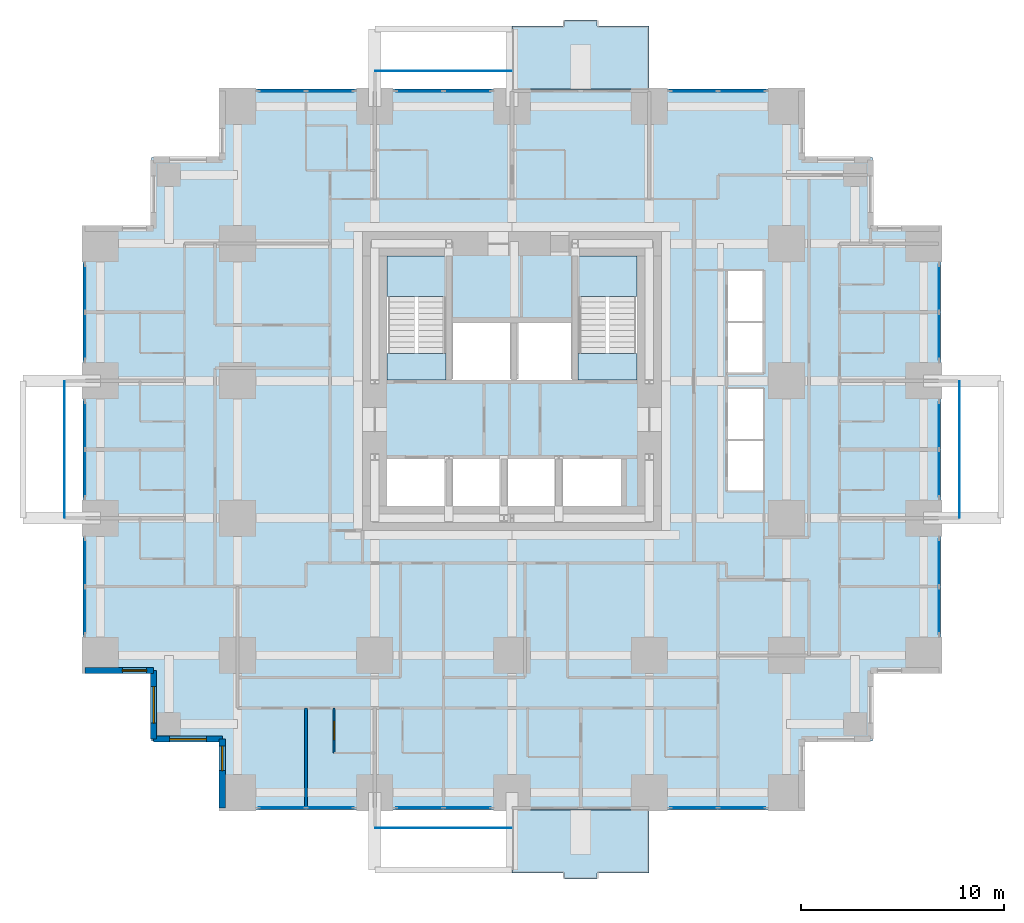
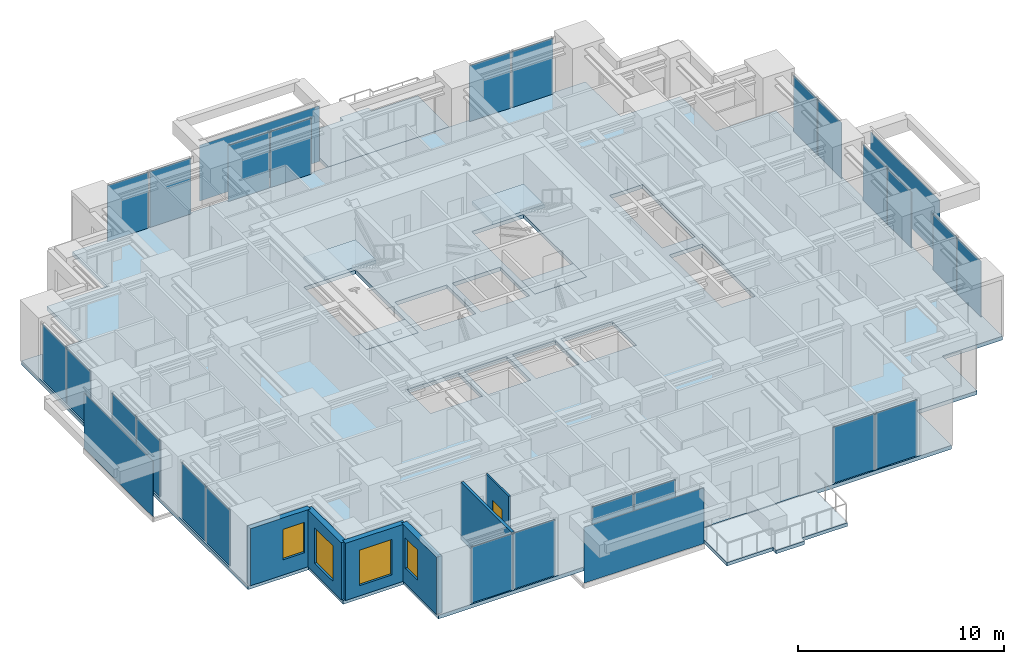
# One storey, part 6 of 12: 28 plates, 7 slabs, 6 walls, 4 windows, 1 door, 5 openings, 14 elements without a shape of their own.
"""IFC4 building model written with IfcOpenShell, lengths in metres."""

import ifcopenshell
import ifcopenshell.guid

model = None  # the IFC model being written
_history = None  # IfcOwnerHistory: only IFC2X3 demands one
_inside = {}  # id of a spatial element -> (the spatial element, [elements in it])
_under = {}  # id of a project, library or spatial element -> (it, [spatial elements below it])
_declared = {}  # id of a project -> (the project, [libraries it declares])
_typed = {}  # id of a type object -> (the type object, [elements of that type])
_made_of = {}  # id of a material, layer set ... -> (it, [elements and type objects made of it])


def new_model(schema):
    """Start an empty IFC model of exactly this schema.

    Asked for "IFC4X3", IfcOpenShell would pick the latest addendum, in which some entities
    have other attributes; the version numbers below select the first issue.
    IFC2X3 requires an IfcOwnerHistory on every rooted entity: one is made here for all.
    """
    global model, _history
    if schema == "IFC4X3":
        model = ifcopenshell.file(schema_version=(4, 3, 0, 0))
    else:
        model = ifcopenshell.file(schema=schema)
    _inside.clear()
    _under.clear()
    _declared.clear()
    _typed.clear()
    _made_of.clear()
    _history = None
    if model.schema == "IFC2X3":
        org = make("IfcOrganization", Name="unknown")
        user = make(
            "IfcPersonAndOrganization",
            ThePerson=make("IfcPerson", FamilyName="unknown"),
            TheOrganization=org,
        )
        app = make(
            "IfcApplication",
            ApplicationDeveloper=org,
            Version="unknown",
            ApplicationFullName="unknown",
            ApplicationIdentifier="unknown",
        )
        _history = make(
            "IfcOwnerHistory",
            OwningUser=user,
            OwningApplication=app,
            ChangeAction="ADDED",
            CreationDate=0,
        )
    return model


def make(cls, **values):
    """One entity of the class cls with the attributes given. An attribute that is None is left unset."""
    return model.create_entity(
        cls, **{name: value for name, value in values.items() if value is not None}
    )


def rooted(cls, **values):
    """An entity with a GlobalId (a new one), such as an element, a storey or a relation."""
    return make(cls, GlobalId=ifcopenshell.guid.new(), OwnerHistory=_history, **values)


def si_unit(unit_type, name, prefix=None):
    """IfcSIUnit, for example si_unit("LENGTHUNIT", "METRE", prefix="MILLI")."""
    return make("IfcSIUnit", UnitType=unit_type, Prefix=prefix, Name=name)


def assignment(units):
    """IfcUnitAssignment: the units of a project."""
    return None if units is None else make("IfcUnitAssignment", Units=units)


def point(xyz):
    """IfcCartesianPoint."""
    return None if xyz is None else make("IfcCartesianPoint", Coordinates=xyz)


def direction(xyz):
    """IfcDirection."""
    return None if xyz is None else make("IfcDirection", DirectionRatios=xyz)


def frame(location, z_axis=None, x_axis=None):
    """IfcAxis2Placement3D, a coordinate frame: its origin and axes. An axis left out is left unset."""
    return make(
        "IfcAxis2Placement3D",
        Location=point(location),
        Axis=direction(z_axis),
        RefDirection=direction(x_axis),
    )


def frame_2d(location, x_axis=None):
    """IfcAxis2Placement2D, a coordinate frame in the plane: its origin and x axis."""
    return make(
        "IfcAxis2Placement2D", Location=point(location), RefDirection=direction(x_axis)
    )


def origin():
    """The frame at (0, 0, 0) with its axes left unset."""
    return frame((0.0, 0.0, 0.0))


def origin_2d():
    """The frame at (0, 0) in the plane with its x axis left unset."""
    return frame_2d((0.0, 0.0))


def place(relative_to, where):
    """IfcLocalPlacement: puts the frame where relative to a parent placement (None: the world)."""
    return make(
        "IfcLocalPlacement", PlacementRelTo=relative_to, RelativePlacement=where
    )


def context(
    kind, dimensions, precision=None, world=None, true_north=None, identifier=None
):
    """IfcGeometricRepresentationContext, for example the 3D "Model" context."""
    return make(
        "IfcGeometricRepresentationContext",
        ContextIdentifier=identifier,
        ContextType=kind,
        CoordinateSpaceDimension=dimensions,
        Precision=precision,
        WorldCoordinateSystem=world,
        TrueNorth=true_north,
    )


def subcontext(parent, identifier, kind, view, scale=None):
    """IfcGeometricRepresentationSubContext, for example "Body" below "Model"."""
    return make(
        "IfcGeometricRepresentationSubContext",
        ContextIdentifier=identifier,
        ContextType=kind,
        ParentContext=parent,
        TargetScale=scale,
        TargetView=view,
    )


def project(units=None, contexts=None):
    """IfcProject with its units and contexts."""
    return rooted(
        "IfcProject",
        Name="project",
        RepresentationContexts=contexts,
        UnitsInContext=assignment(units),
    )


def spatial(cls, under=None, at=None, **own):
    """A site, building, storey or space (cls), placed at a placement, below another one or the project."""
    s = rooted(cls, ObjectPlacement=at, **own)
    if under is not None:
        _under.setdefault(under.id(), (under, []))[1].append(s)
    return s


def polyline(points):
    """IfcPolyline through the points."""
    return make("IfcPolyline", Points=[point(p) for p in points])


def profile(cls, at=None, kind="AREA", **sizes):
    """A parametric profile (cls). Its sizes go by their IFC names, for example OverallWidth=200.0."""
    return make(cls, ProfileType=kind, Position=at, **sizes)


def rectangle(**sizes):
    """IfcRectangleProfileDef."""
    return profile("IfcRectangleProfileDef", **sizes)


def outline(outer, holes=None, kind="AREA"):
    """IfcArbitraryClosedProfileDef: a profile drawn as a closed curve; with holes, ...WithVoids."""
    if holes is None:
        return make("IfcArbitraryClosedProfileDef", ProfileType=kind, OuterCurve=outer)
    return make(
        "IfcArbitraryProfileDefWithVoids",
        ProfileType=kind,
        OuterCurve=outer,
        InnerCurves=holes,
    )


def extrude(swept, where, along, depth):
    """IfcExtrudedAreaSolid: the profile swept, set in the frame where, extruded along a direction by depth."""
    return make(
        "IfcExtrudedAreaSolid",
        SweptArea=swept,
        Position=where,
        ExtrudedDirection=direction(along),
        Depth=depth,
    )


def shape(context_of_items, identifier, shape_type, items):
    """IfcShapeRepresentation: the items that make up one representation, for example the "Body"."""
    return make(
        "IfcShapeRepresentation",
        ContextOfItems=context_of_items,
        RepresentationIdentifier=identifier,
        RepresentationType=shape_type,
        Items=items,
    )


def material(Name=None, Category=None):
    """IfcMaterial."""
    return make("IfcMaterial", Name=Name, Category=Category)


def layer(
    of_material, thickness, ventilated=None, Name=None, Category=None, Priority=None
):
    """IfcMaterialLayer: one layer of a wall or slab, of a material (None: an air gap)."""
    return make(
        "IfcMaterialLayer",
        Material=of_material,
        LayerThickness=thickness,
        IsVentilated=ventilated,
        Name=Name,
        Category=Category,
        Priority=Priority,
    )


def layer_set(layers, Name=None):
    """IfcMaterialLayerSet."""
    return make("IfcMaterialLayerSet", MaterialLayers=layers, LayerSetName=Name)


def made_of(thing, what):
    """Note that an element or type object is made of a material, layer set ...; save() writes the relation."""
    if what is not None:
        _made_of.setdefault(what.id(), (what, []))[1].append(thing)
    return thing


def type_object(cls, material=None, **own):
    """A type object (cls), such as IfcWallType, which elements share."""
    return made_of(rooted(cls, **own), material)


def element(
    cls,
    number,
    at=None,
    inside=None,
    cuts=None,
    type_object=None,
    material=None,
    context=None,
    identifier="Body",
    shape_type=None,
    held_by="IfcProductDefinitionShape",
    body=None,
    shapes=None,
    **own,
):
    """One element of the class cls, such as IfcWall. Its Tag is "e" and its number.

    at: its placement. inside: the storey or other place that contains it. cuts: it is an
    opening in that element (IfcRelVoidsElement). A single representation is given by context,
    identifier, shape_type and body (its items); several are given by shapes. held_by: the class
    of the entity that holds the representations. save() writes the other relations.
    """
    e = rooted(cls, Tag="e%d" % number, ObjectPlacement=at, **own)
    if body is not None:
        shapes = [shape(context, identifier, shape_type, body)]
    if shapes is not None:
        e.Representation = make(held_by, Representations=shapes)
    if inside is not None:
        _inside.setdefault(inside.id(), (inside, []))[1].append(e)
    if cuts is not None:
        rooted(
            "IfcRelVoidsElement", RelatingBuildingElement=cuts, RelatedOpeningElement=e
        )
    if type_object is not None:
        _typed.setdefault(type_object.id(), (type_object, []))[1].append(e)
    return made_of(e, material)


def fill(opening, filler):
    """IfcRelFillsElement: the door or window that sits in an opening."""
    return rooted(
        "IfcRelFillsElement",
        RelatingOpeningElement=opening,
        RelatedBuildingElement=filler,
    )


def aggregate(whole, parts):
    """IfcRelAggregates: a whole, such as a stair, and the parts it consists of."""
    return rooted("IfcRelAggregates", RelatingObject=whole, RelatedObjects=parts)


def save(model, path):
    """Write the relations noted so far, then the file.

    IfcRelAggregates (storeys below a building ...), IfcRelContainedInSpatialStructure (elements
    in a storey), IfcRelDefinesByType, IfcRelAssociatesMaterial and IfcRelDeclares: one each for
    every whole, place, type object, material and project.
    """
    for whole, parts in _under.values():
        aggregate(whole, parts)
    for where, things in _inside.values():
        rooted(
            "IfcRelContainedInSpatialStructure",
            RelatedElements=things,
            RelatingStructure=where,
        )
    for kind, things in _typed.values():
        rooted("IfcRelDefinesByType", RelatedObjects=things, RelatingType=kind)
    for what, things in _made_of.values():
        rooted("IfcRelAssociatesMaterial", RelatedObjects=things, RelatingMaterial=what)
    for by, libraries in _declared.values():
        rooted("IfcRelDeclares", RelatingContext=by, RelatedDefinitions=libraries)
    model.write(path)


model = new_model("IFC4")

# Units and contexts
model_context = context("Model", 3, precision=1e-05, world=origin(), true_north=direction((0.0, 1.0)))
body_context = subcontext(model_context, "Body", "Model", "MODEL_VIEW")
ifc_project = project(units=[si_unit("LENGTHUNIT", "METRE"), si_unit("AREAUNIT", "SQUARE_METRE"), si_unit("VOLUMEUNIT", "CUBIC_METRE"), si_unit("PLANEANGLEUNIT", "RADIAN"), si_unit("MASSUNIT", "GRAM", prefix="KILO")], contexts=[model_context])

# Site, building, storey
site_placement = place(None, origin())
site = spatial("IfcSite", under=ifc_project, at=site_placement, CompositionType="ELEMENT")
building_placement = place(site_placement, origin())
building = spatial("IfcBuilding", under=site, at=building_placement, Name="Nyansa Garden Tower", CompositionType="ELEMENT")
storey_placement = place(building_placement, frame((0.0, 0.0, 98.10009765625)))
storey = spatial("IfcBuildingStorey", under=building, at=storey_placement, Name="L26", CompositionType="ELEMENT", Elevation=98.10009765625)

# Slabs
ifc_material_1 = material(Name="Concrete C40/50", Category="concrete")
ifc_layer_1 = layer(ifc_material_1, 0.199951171875)
ifc_layer_set_1 = layer_set([ifc_layer_1], Name="Balcony slab BS200")
slab_type_1 = type_object("IfcSlabType", Name="Balcony slab BS200", PredefinedType="FLOOR", material=ifc_layer_set_1)
slab_1_placement = place(storey_placement, frame((0.0, 0.0, -0.239990234375)))
element("IfcSlab", 1, at=slab_1_placement, inside=storey, type_object=slab_type_1, Name="Balcony L26 S", PredefinedType="FLOOR", context=body_context, shape_type="SweptSolid", body=[
    extrude(outline(polyline([(20.25, -0.85009765625), (27.0, -0.85009765625), (27.0, -3.949951171875), (24.425048828125, -3.949951171875), (24.425048828125, -4.25), (22.824951171875, -4.25), (22.824951171875, -3.949951171875), (20.25, -3.949951171875), (20.25, -0.85009765625)])), origin(), (0.0, 0.0, 1.0), 0.199951171875),
])
slab_2_placement = place(storey_placement, frame((0.0, 0.0, -0.239990234375)))
element("IfcSlab", 2, at=slab_2_placement, inside=storey, type_object=slab_type_1, Name="Balcony L26 N", PredefinedType="FLOOR", context=body_context, shape_type="SweptSolid", body=[
    extrude(outline(polyline([(20.25, 34.60009765625), (27.0, 34.60009765625), (27.0, 37.699951171875), (24.425048828125, 37.699951171875), (24.425048828125, 38.0), (22.824951171875, 38.0), (22.824951171875, 37.699951171875), (20.25, 37.699951171875), (20.25, 34.60009765625)])), origin(), (0.0, 0.0, 1.0), 0.199951171875),
])

# Curtain wall, plates
ifc_material_2 = material(Name="Black anodised aluminium, dark tinted double glazing", Category="aluminium")
curtain_wall_type = type_object("IfcCurtainWallType", Name="Inner skin curtain wall ISW-B", PredefinedType="USERDEFINED", material=ifc_material_2)
curtain_wall_1_placement = place(storey_placement, origin())
curtain_wall_1 = element("IfcCurtainWall", 3, at=curtain_wall_1_placement, inside=storey, type_object=curtain_wall_type, Name="Inner skin curtain wall L26 E", ObjectType="UNITISED CURTAIN WALL", PredefinedType="USERDEFINED")
ifc_material_3 = material(Name="Dark tinted laminated double glazing", Category="glass")
ifc_layer_2 = layer(ifc_material_3, 0.035888671875)
ifc_layer_set_2 = layer_set([ifc_layer_2], Name="Dark tinted vision panel VP-B")
plate_type_1 = type_object("IfcPlateType", Name="Dark tinted vision panel VP-B", PredefinedType="CURTAIN_PANEL", material=ifc_layer_set_2)
plate_1_placement = place(storey_placement, frame((41.25, 8.94384765625, -0.000244140625), z_axis=(0.0, 0.0, 1.0), x_axis=(0.0, 1.0, 0.0)))
plate_1 = element("IfcPlate", 4, at=plate_1_placement, type_object=plate_type_1, Name="ISW-B panel 1", PredefinedType="CURTAIN_PANEL", context=body_context, shape_type="SweptSolid", body=[
    extrude(rectangle(XDim=2.297607421875, YDim=0.035888671875, at=origin_2d()), origin(), (0.0, 0.0, 1.0), 3.31005859375),
])
plate_2_placement = place(storey_placement, frame((41.25, 11.30615234375, -0.000244140625), z_axis=(0.0, 0.0, 1.0), x_axis=(0.0, 1.0, 0.0)))
plate_2 = element("IfcPlate", 5, at=plate_2_placement, type_object=plate_type_1, Name="ISW-B panel 2", PredefinedType="CURTAIN_PANEL", context=body_context, shape_type="SweptSolid", body=[
    extrude(rectangle(XDim=2.297607421875, YDim=0.035888671875, at=origin_2d()), origin(), (0.0, 0.0, 1.0), 3.31005859375),
])
aggregate(curtain_wall_1, [plate_1, plate_2])

curtain_wall_2_placement = place(storey_placement, origin())
curtain_wall_2 = element("IfcCurtainWall", 6, at=curtain_wall_2_placement, inside=storey, type_object=curtain_wall_type, Name="Inner skin curtain wall L26 E", ObjectType="UNITISED CURTAIN WALL", PredefinedType="USERDEFINED")
plate_3_placement = place(storey_placement, frame((41.25, 15.69384765625, -0.000244140625), z_axis=(0.0, 0.0, 1.0), x_axis=(0.0, 1.0, 0.0)))
plate_3 = element("IfcPlate", 7, at=plate_3_placement, type_object=plate_type_1, Name="ISW-B panel 1", PredefinedType="CURTAIN_PANEL", context=body_context, shape_type="SweptSolid", body=[
    extrude(rectangle(XDim=2.297607421875, YDim=0.035888671875, at=origin_2d()), origin(), (0.0, 0.0, 1.0), 3.31005859375),
])
plate_4_placement = place(storey_placement, frame((41.25, 18.05615234375, -0.000244140625), z_axis=(0.0, 0.0, 1.0), x_axis=(0.0, 1.0, 0.0)))
plate_4 = element("IfcPlate", 8, at=plate_4_placement, type_object=plate_type_1, Name="ISW-B panel 2", PredefinedType="CURTAIN_PANEL", context=body_context, shape_type="SweptSolid", body=[
    extrude(rectangle(XDim=2.297607421875, YDim=0.035888671875, at=origin_2d()), origin(), (0.0, 0.0, 1.0), 3.31005859375),
])
aggregate(curtain_wall_2, [plate_3, plate_4])

curtain_wall_3_placement = place(storey_placement, origin())
curtain_wall_3 = element("IfcCurtainWall", 9, at=curtain_wall_3_placement, inside=storey, type_object=curtain_wall_type, Name="Inner skin curtain wall L26 E", ObjectType="UNITISED CURTAIN WALL", PredefinedType="USERDEFINED")
plate_5_placement = place(storey_placement, frame((41.25, 22.44384765625, -0.000244140625), z_axis=(0.0, 0.0, 1.0), x_axis=(0.0, 1.0, 0.0)))
plate_5 = element("IfcPlate", 10, at=plate_5_placement, type_object=plate_type_1, Name="ISW-B panel 1", PredefinedType="CURTAIN_PANEL", context=body_context, shape_type="SweptSolid", body=[
    extrude(rectangle(XDim=2.297607421875, YDim=0.035888671875, at=origin_2d()), origin(), (0.0, 0.0, 1.0), 3.31005859375),
])
plate_6_placement = place(storey_placement, frame((41.25, 24.80615234375, -0.000244140625), z_axis=(0.0, 0.0, 1.0), x_axis=(0.0, 1.0, 0.0)))
plate_6 = element("IfcPlate", 11, at=plate_6_placement, type_object=plate_type_1, Name="ISW-B panel 2", PredefinedType="CURTAIN_PANEL", context=body_context, shape_type="SweptSolid", body=[
    extrude(rectangle(XDim=2.297607421875, YDim=0.035888671875, at=origin_2d()), origin(), (0.0, 0.0, 1.0), 3.31005859375),
])
aggregate(curtain_wall_3, [plate_5, plate_6])

curtain_wall_4_placement = place(storey_placement, origin())
curtain_wall_4 = element("IfcCurtainWall", 12, at=curtain_wall_4_placement, inside=storey, type_object=curtain_wall_type, Name="Inner skin curtain wall L26 N", ObjectType="UNITISED CURTAIN WALL", PredefinedType="USERDEFINED")
plate_7_placement = place(storey_placement, frame((18.05615234375, 34.5, -0.000244140625), z_axis=(0.0, 0.0, 1.0), x_axis=(-1.0, 0.0, 0.0)))
plate_7 = element("IfcPlate", 13, at=plate_7_placement, type_object=plate_type_1, Name="ISW-B panel 1", PredefinedType="CURTAIN_PANEL", context=body_context, shape_type="SweptSolid", body=[
    extrude(rectangle(XDim=2.297607421875, YDim=0.035888671875, at=origin_2d()), origin(), (0.0, 0.0, 1.0), 3.31005859375),
])
plate_8_placement = place(storey_placement, frame((15.69384765625, 34.5, -0.000244140625), z_axis=(0.0, 0.0, 1.0), x_axis=(-1.0, 0.0, 0.0)))
plate_8 = element("IfcPlate", 14, at=plate_8_placement, type_object=plate_type_1, Name="ISW-B panel 2", PredefinedType="CURTAIN_PANEL", context=body_context, shape_type="SweptSolid", body=[
    extrude(rectangle(XDim=2.297607421875, YDim=0.035888671875, at=origin_2d()), origin(), (0.0, 0.0, 1.0), 3.31005859375),
])
aggregate(curtain_wall_4, [plate_7, plate_8])

curtain_wall_5_placement = place(storey_placement, origin())
curtain_wall_5 = element("IfcCurtainWall", 15, at=curtain_wall_5_placement, inside=storey, type_object=curtain_wall_type, Name="Inner skin curtain wall L26 N", ObjectType="UNITISED CURTAIN WALL", PredefinedType="USERDEFINED")
plate_9_placement = place(storey_placement, frame((11.30615234375, 34.5, -0.000244140625), z_axis=(0.0, 0.0, 1.0), x_axis=(-1.0, 0.0, 0.0)))
plate_9 = element("IfcPlate", 16, at=plate_9_placement, type_object=plate_type_1, Name="ISW-B panel 1", PredefinedType="CURTAIN_PANEL", context=body_context, shape_type="SweptSolid", body=[
    extrude(rectangle(XDim=2.297607421875, YDim=0.035888671875, at=origin_2d()), origin(), (0.0, 0.0, 1.0), 3.31005859375),
])
plate_10_placement = place(storey_placement, frame((8.94384765625, 34.5, -0.000244140625), z_axis=(0.0, 0.0, 1.0), x_axis=(-1.0, 0.0, 0.0)))
plate_10 = element("IfcPlate", 17, at=plate_10_placement, type_object=plate_type_1, Name="ISW-B panel 2", PredefinedType="CURTAIN_PANEL", context=body_context, shape_type="SweptSolid", body=[
    extrude(rectangle(XDim=2.297607421875, YDim=0.035888671875, at=origin_2d()), origin(), (0.0, 0.0, 1.0), 3.31005859375),
])
aggregate(curtain_wall_5, [plate_9, plate_10])

curtain_wall_6_placement = place(storey_placement, origin())
curtain_wall_6 = element("IfcCurtainWall", 18, at=curtain_wall_6_placement, inside=storey, type_object=curtain_wall_type, Name="Inner skin curtain wall L26 N", ObjectType="UNITISED CURTAIN WALL", PredefinedType="USERDEFINED")
plate_11_placement = place(storey_placement, frame((31.55615234375, 34.5, -0.000244140625), z_axis=(0.0, 0.0, 1.0), x_axis=(-1.0, 0.0, 0.0)))
plate_11 = element("IfcPlate", 19, at=plate_11_placement, type_object=plate_type_1, Name="ISW-B panel 1", PredefinedType="CURTAIN_PANEL", context=body_context, shape_type="SweptSolid", body=[
    extrude(rectangle(XDim=2.297607421875, YDim=0.035888671875, at=origin_2d()), origin(), (0.0, 0.0, 1.0), 3.31005859375),
])
plate_12_placement = place(storey_placement, frame((29.19384765625, 34.5, -0.000244140625), z_axis=(0.0, 0.0, 1.0), x_axis=(-1.0, 0.0, 0.0)))
plate_12 = element("IfcPlate", 20, at=plate_12_placement, type_object=plate_type_1, Name="ISW-B panel 2", PredefinedType="CURTAIN_PANEL", context=body_context, shape_type="SweptSolid", body=[
    extrude(rectangle(XDim=2.297607421875, YDim=0.035888671875, at=origin_2d()), origin(), (0.0, 0.0, 1.0), 3.31005859375),
])
aggregate(curtain_wall_6, [plate_11, plate_12])

curtain_wall_7_placement = place(storey_placement, origin())
curtain_wall_7 = element("IfcCurtainWall", 21, at=curtain_wall_7_placement, inside=storey, type_object=curtain_wall_type, Name="Inner skin curtain wall L26 W", ObjectType="UNITISED CURTAIN WALL", PredefinedType="USERDEFINED")
plate_13_placement = place(storey_placement, frame((-0.75, 24.80615234375, -0.000244140625), z_axis=(0.0, 0.0, 1.0), x_axis=(0.0, -1.0, 0.0)))
plate_13 = element("IfcPlate", 22, at=plate_13_placement, type_object=plate_type_1, Name="ISW-B panel 1", PredefinedType="CURTAIN_PANEL", context=body_context, shape_type="SweptSolid", body=[
    extrude(rectangle(XDim=2.297607421875, YDim=0.035888671875, at=origin_2d()), origin(), (0.0, 0.0, 1.0), 3.31005859375),
])
plate_14_placement = place(storey_placement, frame((-0.75, 22.44384765625, -0.000244140625), z_axis=(0.0, 0.0, 1.0), x_axis=(0.0, -1.0, 0.0)))
plate_14 = element("IfcPlate", 23, at=plate_14_placement, type_object=plate_type_1, Name="ISW-B panel 2", PredefinedType="CURTAIN_PANEL", context=body_context, shape_type="SweptSolid", body=[
    extrude(rectangle(XDim=2.297607421875, YDim=0.035888671875, at=origin_2d()), origin(), (0.0, 0.0, 1.0), 3.31005859375),
])
aggregate(curtain_wall_7, [plate_13, plate_14])

curtain_wall_8_placement = place(storey_placement, origin())
curtain_wall_8 = element("IfcCurtainWall", 24, at=curtain_wall_8_placement, inside=storey, type_object=curtain_wall_type, Name="Inner skin curtain wall L26 W", ObjectType="UNITISED CURTAIN WALL", PredefinedType="USERDEFINED")
plate_15_placement = place(storey_placement, frame((-0.75, 18.05615234375, -0.000244140625), z_axis=(0.0, 0.0, 1.0), x_axis=(0.0, -1.0, 0.0)))
plate_15 = element("IfcPlate", 25, at=plate_15_placement, type_object=plate_type_1, Name="ISW-B panel 1", PredefinedType="CURTAIN_PANEL", context=body_context, shape_type="SweptSolid", body=[
    extrude(rectangle(XDim=2.297607421875, YDim=0.035888671875, at=origin_2d()), origin(), (0.0, 0.0, 1.0), 3.31005859375),
])
plate_16_placement = place(storey_placement, frame((-0.75, 15.69384765625, -0.000244140625), z_axis=(0.0, 0.0, 1.0), x_axis=(0.0, -1.0, 0.0)))
plate_16 = element("IfcPlate", 26, at=plate_16_placement, type_object=plate_type_1, Name="ISW-B panel 2", PredefinedType="CURTAIN_PANEL", context=body_context, shape_type="SweptSolid", body=[
    extrude(rectangle(XDim=2.297607421875, YDim=0.035888671875, at=origin_2d()), origin(), (0.0, 0.0, 1.0), 3.31005859375),
])
aggregate(curtain_wall_8, [plate_15, plate_16])

curtain_wall_9_placement = place(storey_placement, origin())
curtain_wall_9 = element("IfcCurtainWall", 27, at=curtain_wall_9_placement, inside=storey, type_object=curtain_wall_type, Name="Inner skin curtain wall L26 W", ObjectType="UNITISED CURTAIN WALL", PredefinedType="USERDEFINED")
plate_17_placement = place(storey_placement, frame((-0.75, 11.30615234375, -0.000244140625), z_axis=(0.0, 0.0, 1.0), x_axis=(0.0, -1.0, 0.0)))
plate_17 = element("IfcPlate", 28, at=plate_17_placement, type_object=plate_type_1, Name="ISW-B panel 1", PredefinedType="CURTAIN_PANEL", context=body_context, shape_type="SweptSolid", body=[
    extrude(rectangle(XDim=2.297607421875, YDim=0.035888671875, at=origin_2d()), origin(), (0.0, 0.0, 1.0), 3.31005859375),
])
plate_18_placement = place(storey_placement, frame((-0.75, 8.94384765625, -0.000244140625), z_axis=(0.0, 0.0, 1.0), x_axis=(0.0, -1.0, 0.0)))
plate_18 = element("IfcPlate", 29, at=plate_18_placement, type_object=plate_type_1, Name="ISW-B panel 2", PredefinedType="CURTAIN_PANEL", context=body_context, shape_type="SweptSolid", body=[
    extrude(rectangle(XDim=2.297607421875, YDim=0.035888671875, at=origin_2d()), origin(), (0.0, 0.0, 1.0), 3.31005859375),
])
aggregate(curtain_wall_9, [plate_17, plate_18])

curtain_wall_10_placement = place(storey_placement, origin())
curtain_wall_10 = element("IfcCurtainWall", 30, at=curtain_wall_10_placement, inside=storey, type_object=curtain_wall_type, Name="Inner skin curtain wall L26 S", ObjectType="UNITISED CURTAIN WALL", PredefinedType="USERDEFINED")
plate_19_placement = place(storey_placement, frame((8.94384765625, -0.75, -0.000244140625), z_axis=(0.0, 0.0, 1.0), x_axis=(1.0, 0.0, 0.0)))
plate_19 = element("IfcPlate", 31, at=plate_19_placement, type_object=plate_type_1, Name="ISW-B panel 1", PredefinedType="CURTAIN_PANEL", context=body_context, shape_type="SweptSolid", body=[
    extrude(rectangle(XDim=2.297607421875, YDim=0.035888671875, at=origin_2d()), origin(), (0.0, 0.0, 1.0), 3.31005859375),
])
plate_20_placement = place(storey_placement, frame((11.30615234375, -0.75, -0.000244140625), z_axis=(0.0, 0.0, 1.0), x_axis=(1.0, 0.0, 0.0)))
plate_20 = element("IfcPlate", 32, at=plate_20_placement, type_object=plate_type_1, Name="ISW-B panel 2", PredefinedType="CURTAIN_PANEL", context=body_context, shape_type="SweptSolid", body=[
    extrude(rectangle(XDim=2.297607421875, YDim=0.035888671875, at=origin_2d()), origin(), (0.0, 0.0, 1.0), 3.31005859375),
])
aggregate(curtain_wall_10, [plate_19, plate_20])

curtain_wall_11_placement = place(storey_placement, origin())
curtain_wall_11 = element("IfcCurtainWall", 33, at=curtain_wall_11_placement, inside=storey, type_object=curtain_wall_type, Name="Inner skin curtain wall L26 S", ObjectType="UNITISED CURTAIN WALL", PredefinedType="USERDEFINED")
plate_21_placement = place(storey_placement, frame((15.69384765625, -0.75, -0.000244140625), z_axis=(0.0, 0.0, 1.0), x_axis=(1.0, 0.0, 0.0)))
plate_21 = element("IfcPlate", 34, at=plate_21_placement, type_object=plate_type_1, Name="ISW-B panel 1", PredefinedType="CURTAIN_PANEL", context=body_context, shape_type="SweptSolid", body=[
    extrude(rectangle(XDim=2.297607421875, YDim=0.035888671875, at=origin_2d()), origin(), (0.0, 0.0, 1.0), 3.31005859375),
])
plate_22_placement = place(storey_placement, frame((18.05615234375, -0.75, -0.000244140625), z_axis=(0.0, 0.0, 1.0), x_axis=(1.0, 0.0, 0.0)))
plate_22 = element("IfcPlate", 35, at=plate_22_placement, type_object=plate_type_1, Name="ISW-B panel 2", PredefinedType="CURTAIN_PANEL", context=body_context, shape_type="SweptSolid", body=[
    extrude(rectangle(XDim=2.297607421875, YDim=0.035888671875, at=origin_2d()), origin(), (0.0, 0.0, 1.0), 3.31005859375),
])
aggregate(curtain_wall_11, [plate_21, plate_22])

curtain_wall_12_placement = place(storey_placement, origin())
curtain_wall_12 = element("IfcCurtainWall", 36, at=curtain_wall_12_placement, inside=storey, type_object=curtain_wall_type, Name="Inner skin curtain wall L26 S", ObjectType="UNITISED CURTAIN WALL", PredefinedType="USERDEFINED")
plate_23_placement = place(storey_placement, frame((29.19384765625, -0.75, -0.000244140625), z_axis=(0.0, 0.0, 1.0), x_axis=(1.0, 0.0, 0.0)))
plate_23 = element("IfcPlate", 37, at=plate_23_placement, type_object=plate_type_1, Name="ISW-B panel 1", PredefinedType="CURTAIN_PANEL", context=body_context, shape_type="SweptSolid", body=[
    extrude(rectangle(XDim=2.297607421875, YDim=0.035888671875, at=origin_2d()), origin(), (0.0, 0.0, 1.0), 3.31005859375),
])
plate_24_placement = place(storey_placement, frame((31.55615234375, -0.75, -0.000244140625), z_axis=(0.0, 0.0, 1.0), x_axis=(1.0, 0.0, 0.0)))
plate_24 = element("IfcPlate", 38, at=plate_24_placement, type_object=plate_type_1, Name="ISW-B panel 2", PredefinedType="CURTAIN_PANEL", context=body_context, shape_type="SweptSolid", body=[
    extrude(rectangle(XDim=2.297607421875, YDim=0.035888671875, at=origin_2d()), origin(), (0.0, 0.0, 1.0), 3.31005859375),
])
aggregate(curtain_wall_12, [plate_23, plate_24])

# Slab
ifc_material_4 = material(Name="Concrete C40/50", Category="concrete")
ifc_layer_3 = layer(ifc_material_4, 0.22509765625)
ifc_layer_set_3 = layer_set([ifc_layer_3], Name="Floor slab FS225")
slab_type_2 = type_object("IfcSlabType", Name="Floor slab FS225", PredefinedType="FLOOR", material=ifc_layer_set_3)
slab_3_placement = place(storey_placement, frame((0.0, 0.0, -0.22509765625)))
element("IfcSlab", 39, at=slab_3_placement, inside=storey, type_object=slab_type_2, Name="Floor slab L26", PredefinedType="FLOOR", context=body_context, shape_type="SweptSolid", body=[
    extrude(outline(polyline([(41.35009765625, 5.89990234375), (37.97509765625, 5.89990234375), (37.97509765625, 2.52490234375), (34.60009765625, 2.52490234375), (34.60009765625, -0.85009765625), (5.89990234375, -0.85009765625), (5.89990234375, 2.52490234375), (2.52490234375, 2.52490234375), (2.52490234375, 5.89990234375), (-0.85009765625, 5.89990234375), (-0.85009765625, 27.85009765625), (2.52490234375, 27.85009765625), (2.52490234375, 31.22509765625), (5.89990234375, 31.22509765625), (5.89990234375, 34.60009765625), (34.60009765625, 34.60009765625), (34.60009765625, 31.22509765625), (37.97509765625, 31.22509765625), (37.97509765625, 27.85009765625), (41.35009765625, 27.85009765625), (41.35009765625, 5.89990234375)]), holes=[polyline([(14.10009765625, 14.10009765625), (17.0, 14.10009765625), (17.0, 16.39990234375), (14.10009765625, 16.39990234375), (14.10009765625, 14.10009765625)]), polyline([(17.300048828125, 14.10009765625), (19.699951171875, 14.10009765625), (19.699951171875, 16.39990234375), (17.300048828125, 16.39990234375), (17.300048828125, 14.10009765625)]), polyline([(20.0, 14.10009765625), (22.39990234375, 14.10009765625), (22.39990234375, 16.39990234375), (20.0, 16.39990234375), (20.0, 14.10009765625)]), polyline([(22.699951171875, 14.10009765625), (25.60009765625, 14.10009765625), (25.60009765625, 16.39990234375), (22.699951171875, 16.39990234375), (22.699951171875, 14.10009765625)]), polyline([(17.300048828125, 20.300048828125), (20.199951171875, 20.300048828125), (20.199951171875, 23.10009765625), (17.300048828125, 23.10009765625), (17.300048828125, 20.300048828125)]), polyline([(20.5, 20.300048828125), (23.199951171875, 20.300048828125), (23.199951171875, 23.10009765625), (20.5, 23.10009765625), (20.5, 20.300048828125)]), polyline([(30.800048828125, 14.800048828125), (32.64990234375, 14.800048828125), (32.64990234375, 19.89990234375), (30.800048828125, 19.89990234375), (30.800048828125, 14.800048828125)]), polyline([(30.800048828125, 20.60009765625), (32.64990234375, 20.60009765625), (32.64990234375, 25.699951171875), (30.800048828125, 25.699951171875), (30.800048828125, 20.60009765625)]), polyline([(14.10009765625, 20.300048828125), (17.0, 20.300048828125), (17.0, 26.39990234375), (14.10009765625, 26.39990234375), (14.10009765625, 20.300048828125)]), polyline([(23.5, 20.300048828125), (26.39990234375, 20.300048828125), (26.39990234375, 26.39990234375), (23.5, 26.39990234375), (23.5, 20.300048828125)])]), origin(), (0.0, 0.0, 1.0), 0.22509765625),
])

# Plates
ifc_material_5 = material(Name="Dark tinted laminated glass", Category="glass")
ifc_layer_4 = layer(ifc_material_5, 0.02392578125)
ifc_layer_set_4 = layer_set([ifc_layer_4], Name="Outer skin glass panel OS1")
plate_type_2 = type_object("IfcPlateType", Name="Outer skin glass panel OS1", PredefinedType="USERDEFINED", material=ifc_layer_set_4)
for number, where, z_axis, x_axis, name in (
    (40, (42.25, 16.875, -0.22509765625), (0.0, 0.0, 1.0), (0.0, 1.0, 0.0), "Outer skin glass panel L26"),
    (41, (16.875, 35.5, -0.22509765625), (0.0, 0.0, 1.0), (1.0, 0.0, 0.0), "Outer skin glass panel L26"),
    (42, (-1.75, 16.875, -0.22509765625), (0.0, 0.0, 1.0), (0.0, 1.0, 0.0), "Outer skin glass panel L26"),
    (43, (16.875, -1.75, -0.22509765625), (0.0, 0.0, 1.0), (1.0, 0.0, 0.0), "Outer skin glass panel L26"),
):
    element("IfcPlate", number, at=place(storey_placement, frame(where, z_axis=z_axis, x_axis=x_axis)), inside=storey, type_object=plate_type_2, Name=name, ObjectType="OUTER SKIN GLASS", PredefinedType="USERDEFINED", context=body_context, shape_type="SweptSolid", body=[
        extrude(rectangle(XDim=6.7099609375, YDim=0.02392578125, at=origin_2d()), origin(), (0.0, 0.0, 1.0), 3.300048828125),
    ])

# Stair, slabs
ifc_material_6 = material(Name="Precast concrete C40/50", Category="concrete")
stair_type_1 = type_object("IfcStairType", Name="Stair S1 164x280", PredefinedType="HALF_TURN_STAIR", material=ifc_material_6)
stair_1_placement = place(storey_placement, origin())
stair_1 = element("IfcStair", 44, at=stair_1_placement, inside=storey, type_object=stair_type_1, Name="Stair S1 L26", PredefinedType="HALF_TURN_STAIR")
ifc_material_7 = material(Name="Concrete C40/50", Category="concrete")
ifc_layer_5 = layer(ifc_material_7, 0.199951171875)
ifc_layer_set_5 = layer_set([ifc_layer_5], Name="Stair landing SL200")
slab_type_3 = type_object("IfcSlabType", Name="Stair landing SL200", PredefinedType="LANDING", material=ifc_layer_set_5)
slab_4_placement = place(storey_placement, frame((0.0, 0.0, -0.2001953125)))
slab_4 = element("IfcSlab", 45, at=slab_4_placement, type_object=slab_type_3, Name="S1 landing 1", PredefinedType="LANDING", context=body_context, shape_type="SweptSolid", body=[
    extrude(outline(polyline([(14.10009765625, 20.300048828125), (17.0, 20.300048828125), (17.0, 21.60009765625), (14.10009765625, 21.60009765625), (14.10009765625, 20.300048828125)])), origin(), (0.0, 0.0, 1.0), 0.2001953125),
])
slab_5_placement = place(storey_placement, frame((0.0, 0.0, 1.599853515625)))
slab_5 = element("IfcSlab", 46, at=slab_5_placement, type_object=slab_type_3, Name="S1 landing 2", PredefinedType="LANDING", context=body_context, shape_type="SweptSolid", body=[
    extrude(outline(polyline([(14.10009765625, 24.39990234375), (17.0, 24.39990234375), (17.0, 26.39990234375), (14.10009765625, 26.39990234375), (14.10009765625, 24.39990234375)])), origin(), (0.0, 0.0, 1.0), 0.199951171875),
])
aggregate(stair_1, [slab_4, slab_5])

ifc_material_8 = material(Name="Precast concrete C40/50", Category="concrete")
stair_type_2 = type_object("IfcStairType", Name="Stair S2 164x280", PredefinedType="HALF_TURN_STAIR", material=ifc_material_8)
stair_2_placement = place(storey_placement, origin())
stair_2 = element("IfcStair", 47, at=stair_2_placement, inside=storey, type_object=stair_type_2, Name="Stair S2 L26", PredefinedType="HALF_TURN_STAIR")
slab_6_placement = place(storey_placement, frame((0.0, 0.0, -0.2001953125)))
slab_6 = element("IfcSlab", 48, at=slab_6_placement, type_object=slab_type_3, Name="S2 landing 1", PredefinedType="LANDING", context=body_context, shape_type="SweptSolid", body=[
    extrude(outline(polyline([(23.5, 20.300048828125), (26.39990234375, 20.300048828125), (26.39990234375, 21.60009765625), (23.5, 21.60009765625), (23.5, 20.300048828125)])), origin(), (0.0, 0.0, 1.0), 0.2001953125),
])
slab_7_placement = place(storey_placement, frame((0.0, 0.0, 1.599853515625)))
slab_7 = element("IfcSlab", 49, at=slab_7_placement, type_object=slab_type_3, Name="S2 landing 2", PredefinedType="LANDING", context=body_context, shape_type="SweptSolid", body=[
    extrude(outline(polyline([(23.5, 24.39990234375), (26.39990234375, 24.39990234375), (26.39990234375, 26.39990234375), (23.5, 26.39990234375), (23.5, 24.39990234375)])), origin(), (0.0, 0.0, 1.0), 0.199951171875),
])
aggregate(stair_2, [slab_6, slab_7])

# Wall
ifc_material_9 = material(Name="Blockwork, plastered both sides", Category="masonry")
ifc_layer_6 = layer(ifc_material_9, 0.14990234375)
ifc_layer_set_6 = layer_set([ifc_layer_6], Name="Partition PW150")
wall_type_1 = type_object("IfcWallType", Name="Partition PW150", PredefinedType="PARTITIONING", material=ifc_layer_set_6)
wall_1_placement = place(storey_placement, frame((10.125, -0.73388671875, 0.0), z_axis=(0.0, 0.0, 1.0), x_axis=(0.0, 1.0, 0.0)))
element("IfcWall", 50, at=wall_1_placement, inside=storey, type_object=wall_type_1, Name="Partition", PredefinedType="PARTITIONING", context=body_context, shape_type="SweptSolid", body=[
    extrude(rectangle(XDim=4.8837890625, YDim=0.14990234375, at=frame_2d((2.44189453125, 0.0))), origin(), (0.0, 0.0, 1.0), 3.375),
])

# Wall, opening, window
ifc_material_10 = material(Name="Turquoise glazed tile on concrete blockwork", Category="masonry")
ifc_layer_7 = layer(ifc_material_10, 0.300048828125)
ifc_layer_set_7 = layer_set([ifc_layer_7], Name="Tiled corner wall TW300")
wall_type_2 = type_object("IfcWallType", Name="Tiled corner wall TW300", PredefinedType="SOLIDWALL", material=ifc_layer_set_7)
wall_2_placement = place(storey_placement, frame((-0.75, 6.0, 0.0), z_axis=(0.0, 0.0, 1.0), x_axis=(1.0, 0.0, 0.0)))
wall_2 = element("IfcWall", 51, at=wall_2_placement, inside=storey, type_object=wall_type_2, Name="Tiled corner wall L26", PredefinedType="SOLIDWALL", context=body_context, shape_type="SweptSolid", body=[
    extrude(rectangle(XDim=3.375, YDim=0.300048828125, at=frame_2d((1.6875, 0.0))), origin(), (0.0, 0.0, 1.0), 3.375),
])
opening_1_placement = place(wall_2_placement, frame((1.83251953125, 0.0, 0.89990234375)))
opening_1 = element("IfcOpeningElement", 52, at=opening_1_placement, cuts=wall_2, Name="Opening W4", PredefinedType="OPENING", context=body_context, shape_type="SweptSolid", body=[
    extrude(rectangle(XDim=1.199951171875, YDim=1.800048828125, at=frame_2d((0.60009765625, 0.89990234375))), frame((0.0, 0.159912109375, 0.0), z_axis=(0.0, -1.0, 0.0), x_axis=(1.0, 0.0, 0.0)), (0.0, 0.0, 1.0), 0.320068359375),
])
ifc_material_11 = material(Name="Black aluminium frame, dark tinted double glazing", Category="aluminium")
window_type_1 = type_object("IfcWindowType", Name="Window W4 1200x1800", PartitioningType="SINGLE_PANEL", PredefinedType="WINDOW", material=ifc_material_11)
window_1_placement = place(opening_1_placement, origin())
window_1 = element("IfcWindow", 53, at=window_1_placement, inside=storey, type_object=window_type_1, Name="Corner window L26", OverallHeight=1.800048828125, OverallWidth=1.199951171875, PartitioningType="SINGLE_PANEL", PredefinedType="WINDOW", context=body_context, shape_type="SweptSolid", body=[
    extrude(rectangle(XDim=1.199951171875, YDim=1.800048828125, at=frame_2d((0.60009765625, 0.89990234375))), frame((0.0, 0.030029296875, 0.0), z_axis=(0.0, -1.0, 0.0), x_axis=(1.0, 0.0, 0.0)), (0.0, 0.0, 1.0), 0.06005859375),
])
fill(opening_1, window_1)

wall_3_placement = place(storey_placement, frame((2.625, 6.0, 0.0), z_axis=(0.0, 0.0, 1.0), x_axis=(0.0, -1.0, 0.0)))
wall_3 = element("IfcWall", 54, at=wall_3_placement, inside=storey, type_object=wall_type_2, Name="Tiled corner wall L26", PredefinedType="SOLIDWALL", context=body_context, shape_type="SweptSolid", body=[
    extrude(rectangle(XDim=3.375, YDim=0.300048828125, at=frame_2d((1.6875, 0.0))), origin(), (0.0, 0.0, 1.0), 3.375),
])
opening_2_placement = place(wall_3_placement, frame((0.78759765625, 0.0, 0.60009765625)))
opening_2 = element("IfcOpeningElement", 55, at=opening_2_placement, cuts=wall_3, Name="Opening W2", PredefinedType="OPENING", context=body_context, shape_type="SweptSolid", body=[
    extrude(rectangle(XDim=1.800048828125, YDim=2.10009765625, at=frame_2d((0.89990234375, 1.050048828125))), frame((0.0, 0.159912109375, 0.0), z_axis=(0.0, -1.0, 0.0), x_axis=(1.0, 0.0, 0.0)), (0.0, 0.0, 1.0), 0.320068359375),
])
ifc_material_12 = material(Name="Black aluminium frame, dark tinted double glazing", Category="aluminium")
window_type_2 = type_object("IfcWindowType", Name="Window W2 1800x2100", PartitioningType="SINGLE_PANEL", PredefinedType="WINDOW", material=ifc_material_12)
window_2_placement = place(opening_2_placement, origin())
window_2 = element("IfcWindow", 56, at=window_2_placement, inside=storey, type_object=window_type_2, Name="Corner window L26", OverallHeight=2.10009765625, OverallWidth=1.800048828125, PartitioningType="SINGLE_PANEL", PredefinedType="WINDOW", context=body_context, shape_type="SweptSolid", body=[
    extrude(rectangle(XDim=1.800048828125, YDim=2.10009765625, at=frame_2d((0.89990234375, 1.050048828125))), frame((0.0, 0.030029296875, 0.0), z_axis=(0.0, -1.0, 0.0), x_axis=(1.0, 0.0, 0.0)), (0.0, 0.0, 1.0), 0.06005859375),
])
fill(opening_2, window_2)

wall_4_placement = place(storey_placement, frame((2.625, 2.625, 0.0), z_axis=(0.0, 0.0, 1.0), x_axis=(1.0, 0.0, 0.0)))
wall_4 = element("IfcWall", 57, at=wall_4_placement, inside=storey, type_object=wall_type_2, Name="Tiled corner wall L26", PredefinedType="SOLIDWALL", context=body_context, shape_type="SweptSolid", body=[
    extrude(rectangle(XDim=3.375, YDim=0.300048828125, at=frame_2d((1.6875, 0.0))), origin(), (0.0, 0.0, 1.0), 3.375),
])
opening_3_placement = place(wall_4_placement, frame((0.78759765625, 0.0, 0.60009765625)))
opening_3 = element("IfcOpeningElement", 58, at=opening_3_placement, cuts=wall_4, Name="Opening W2", PredefinedType="OPENING", context=body_context, shape_type="SweptSolid", body=[
    extrude(rectangle(XDim=1.800048828125, YDim=2.10009765625, at=frame_2d((0.89990234375, 1.050048828125))), frame((0.0, 0.159912109375, 0.0), z_axis=(0.0, -1.0, 0.0), x_axis=(1.0, 0.0, 0.0)), (0.0, 0.0, 1.0), 0.320068359375),
])
window_3_placement = place(opening_3_placement, origin())
window_3 = element("IfcWindow", 59, at=window_3_placement, inside=storey, type_object=window_type_2, Name="Corner window L26", OverallHeight=2.10009765625, OverallWidth=1.800048828125, PartitioningType="SINGLE_PANEL", PredefinedType="WINDOW", context=body_context, shape_type="SweptSolid", body=[
    extrude(rectangle(XDim=1.800048828125, YDim=2.10009765625, at=frame_2d((0.89990234375, 1.050048828125))), frame((0.0, 0.030029296875, 0.0), z_axis=(0.0, -1.0, 0.0), x_axis=(1.0, 0.0, 0.0)), (0.0, 0.0, 1.0), 0.06005859375),
])
fill(opening_3, window_3)

wall_5_placement = place(storey_placement, frame((6.0, 2.625, 0.0), z_axis=(0.0, 0.0, 1.0), x_axis=(0.0, -1.0, 0.0)))
wall_5 = element("IfcWall", 60, at=wall_5_placement, inside=storey, type_object=wall_type_2, Name="Tiled corner wall L26", PredefinedType="SOLIDWALL", context=body_context, shape_type="SweptSolid", body=[
    extrude(rectangle(XDim=3.375, YDim=0.300048828125, at=frame_2d((1.6875, 0.0))), origin(), (0.0, 0.0, 1.0), 3.375),
])
opening_4_placement = place(wall_5_placement, frame((0.342529296875, 0.0, 0.89990234375)))
opening_4 = element("IfcOpeningElement", 61, at=opening_4_placement, cuts=wall_5, Name="Opening W4", PredefinedType="OPENING", context=body_context, shape_type="SweptSolid", body=[
    extrude(rectangle(XDim=1.199951171875, YDim=1.800048828125, at=frame_2d((0.60009765625, 0.89990234375))), frame((0.0, 0.159912109375, 0.0), z_axis=(0.0, -1.0, 0.0), x_axis=(1.0, 0.0, 0.0)), (0.0, 0.0, 1.0), 0.320068359375),
])
window_4_placement = place(opening_4_placement, origin())
window_4 = element("IfcWindow", 62, at=window_4_placement, inside=storey, type_object=window_type_1, Name="Corner window L26", OverallHeight=1.800048828125, OverallWidth=1.199951171875, PartitioningType="SINGLE_PANEL", PredefinedType="WINDOW", context=body_context, shape_type="SweptSolid", body=[
    extrude(rectangle(XDim=1.199951171875, YDim=1.800048828125, at=frame_2d((0.60009765625, 0.89990234375))), frame((0.0, 0.030029296875, 0.0), z_axis=(0.0, -1.0, 0.0), x_axis=(1.0, 0.0, 0.0)), (0.0, 0.0, 1.0), 0.06005859375),
])
fill(opening_4, window_4)

# Wall, opening, door
ifc_material_13 = material(Name="Moisture resistant board on steel studs, tiled", Category="steel")
ifc_layer_8 = layer(ifc_material_13, 0.10009765625)
ifc_layer_set_8 = layer_set([ifc_layer_8], Name="Wet wall PW100")
wall_type_3 = type_object("IfcWallType", Name="Wet wall PW100", PredefinedType="PARTITIONING", material=ifc_layer_set_8)
wall_6_placement = place(storey_placement, frame((11.5, 1.949951171875, 0.0), z_axis=(0.0, 0.0, 1.0), x_axis=(0.0, 1.0, 0.0)))
wall_6 = element("IfcWall", 63, at=wall_6_placement, inside=storey, type_object=wall_type_3, Name="Wet wall", PredefinedType="PARTITIONING", context=body_context, shape_type="SweptSolid", body=[
    extrude(rectangle(XDim=2.199951171875, YDim=0.10009765625, at=frame_2d((1.10009765625, 0.0))), origin(), (0.0, 0.0, 1.0), 3.375),
])
opening_5_placement = place(wall_6_placement, frame((0.64990234375, 0.0, 0.0)))
opening_5 = element("IfcOpeningElement", 64, at=opening_5_placement, cuts=wall_6, Name="Opening D02", PredefinedType="OPENING", context=body_context, shape_type="SweptSolid", body=[
    extrude(rectangle(XDim=0.89990234375, YDim=2.199951171875, at=frame_2d((0.449951171875, 1.10009765625))), frame((0.0, 0.06005859375, 0.0), z_axis=(0.0, -1.0, 0.0), x_axis=(1.0, 0.0, 0.0)), (0.0, 0.0, 1.0), 0.1201171875),
])
ifc_material_14 = material(Name="Timber flush door", Category="wood")
door_type = type_object("IfcDoorType", Name="En-suite door D02 900x2200", OperationType="SINGLE_SWING_RIGHT", PredefinedType="DOOR", material=ifc_material_14)
door_placement = place(opening_5_placement, origin())
door = element("IfcDoor", 65, at=door_placement, inside=storey, type_object=door_type, Name="Door L26-020", OperationType="SINGLE_SWING_RIGHT", OverallHeight=2.199951171875, OverallWidth=0.89990234375, PredefinedType="DOOR", context=body_context, shape_type="SweptSolid", body=[
    extrude(rectangle(XDim=0.89990234375, YDim=2.199951171875, at=frame_2d((0.449951171875, 1.10009765625))), frame((0.0, 0.02490234375, 0.0), z_axis=(0.0, -1.0, 0.0), x_axis=(1.0, 0.0, 0.0)), (0.0, 0.0, 1.0), 0.050048828125),
])
fill(opening_5, door)

save(model, "model.ifc")
